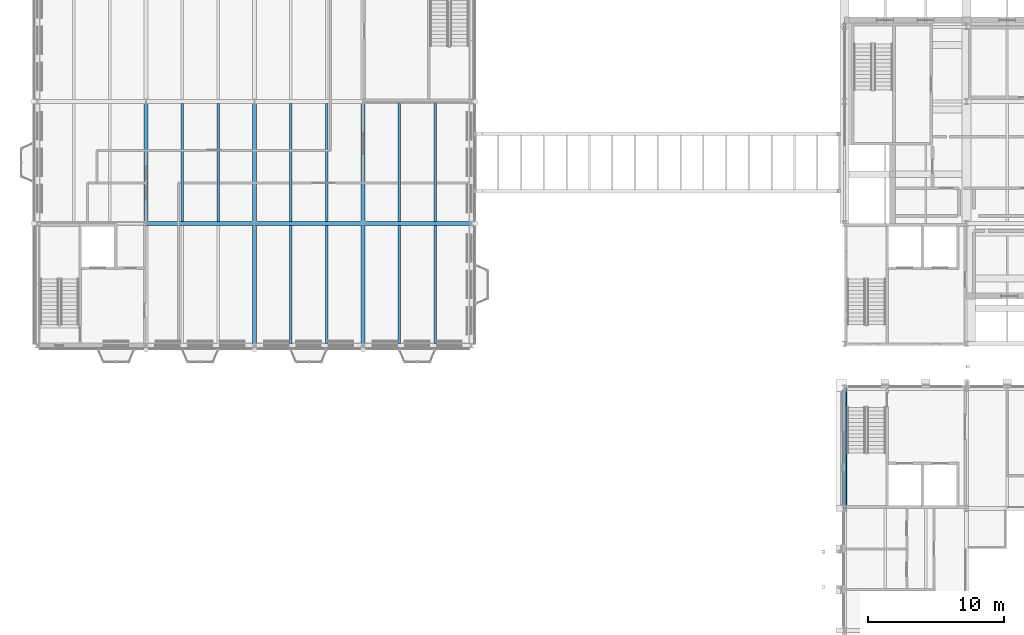
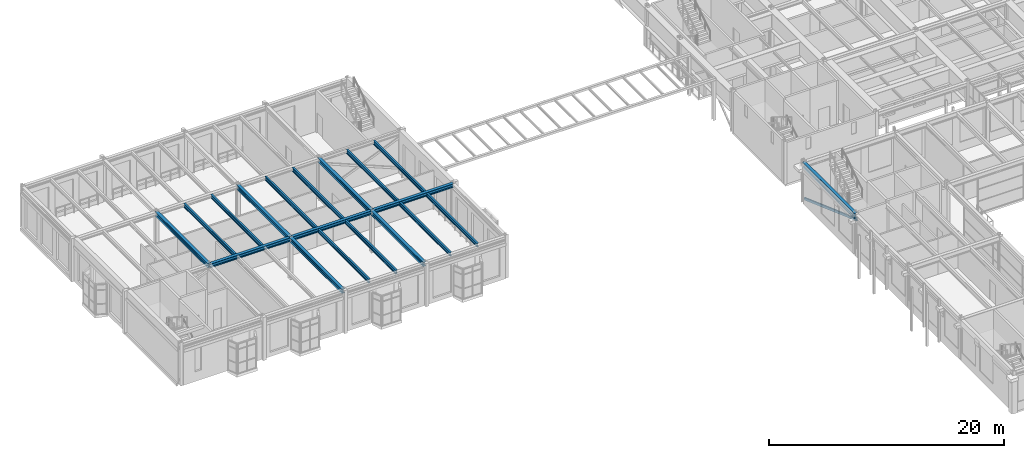
# One storey, part 50 of 153: 19 beams, 1 member.
"""IFC4 building model written with IfcOpenShell, lengths in metres."""

from ifc_helpers import new_model, si_unit, direction, frame, origin, origin_2d, place, context, subcontext, project, spatial, hollow_rectangle, i_section, extrude, material, material_profile, profile_set, type_object, element, save


model = new_model("IFC4")

# Units and contexts
model_context = context("Model", 3, precision=1e-05, world=origin(), true_north=direction((0.0, 1.0)))
body_context = subcontext(model_context, "Body", "Model", "MODEL_VIEW")
ifc_project = project(units=[si_unit("LENGTHUNIT", "METRE"), si_unit("AREAUNIT", "SQUARE_METRE"), si_unit("VOLUMEUNIT", "CUBIC_METRE"), si_unit("PLANEANGLEUNIT", "RADIAN"), si_unit("MASSUNIT", "GRAM", prefix="KILO")], contexts=[model_context])

# Site, building, storey
site_placement = place(None, origin())
site = spatial("IfcSite", under=ifc_project, at=site_placement, CompositionType="ELEMENT")
building_placement = place(site_placement, origin())
building = spatial("IfcBuilding", under=site, at=building_placement, Name="Kallimachos Central Library", CompositionType="ELEMENT")
storey_placement = place(building_placement, frame((0.0, 0.0, 5.39990234375)))
storey = spatial("IfcBuildingStorey", under=building, at=storey_placement, Name="L01", CompositionType="ELEMENT", Elevation=5.39990234375)

# Beams
ifc_material_1 = material(Name="Steel S355J2", Category="steel")
ifc_material_profile_1 = material_profile(ifc_material_1, i_section(OverallWidth=0.300048828125, OverallDepth=0.389892578125, WebThickness=0.010986328125, FlangeThickness=0.01904296875, FilletRadius=0.027099609375, at=origin_2d()), Name="HEA 400")
ifc_profile_set_1 = profile_set([ifc_material_profile_1], Name="Steel S355J2")
beam_type_1 = type_object("IfcBeamType", Name="HEA 400 beam", PredefinedType="BEAM", material=ifc_profile_set_1)
for number, where, z_axis, x_axis, name in (
    (1, (14.0, 96.0, 4.155029296875), (1.0, 0.0, 0.0), (0.0, 1.0, 0.0), "V2-BEM-L01-021"),
    (2, (22.0, 96.0, 4.155029296875), (1.0, 0.0, 0.0), (0.0, 1.0, 0.0), "V2-BEM-L01-022"),
    (3, (30.0, 96.0, 4.155029296875), (1.0, 0.0, 0.0), (0.0, 1.0, 0.0), "V2-BEM-L01-023"),
):
    element("IfcBeam", number, at=place(storey_placement, frame(where, z_axis=z_axis, x_axis=x_axis)), inside=storey, type_object=beam_type_1, Name=name, PredefinedType="BEAM", context=body_context, shape_type="SweptSolid", body=[
        extrude(i_section(OverallWidth=0.300048828125, OverallDepth=0.389892578125, WebThickness=0.010986328125, FlangeThickness=0.01904296875, FilletRadius=0.027099609375, at=origin_2d()), origin(), (0.0, 0.0, 1.0), 8.0),
    ])
ifc_material_2 = material(Name="Steel S355J2", Category="steel")
ifc_material_profile_2 = material_profile(ifc_material_2, i_section(OverallWidth=0.300048828125, OverallDepth=0.43994140625, WebThickness=0.011474609375, FlangeThickness=0.02099609375, FilletRadius=0.027099609375, at=origin_2d()), Name="HEA 450")
ifc_profile_set_2 = profile_set([ifc_material_profile_2], Name="Steel S355J2")
beam_type_2 = type_object("IfcBeamType", Name="HEA 450 beam", PredefinedType="BEAM", material=ifc_profile_set_2)
for number, where, z_axis, x_axis, name in (
    (4, (14.0, 96.0, 4.130126953125), (0.0, 1.0, 0.0), (-1.0, 0.0, 0.0), "V2-BEM-L01-005"),
    (5, (22.0, 87.0, 4.130126953125), (0.0, 1.0, 0.0), (-1.0, 0.0, 0.0), "V2-BEM-L01-007"),
    (6, (22.0, 96.0, 4.130126953125), (0.0, 1.0, 0.0), (-1.0, 0.0, 0.0), "V2-BEM-L01-008"),
    (7, (30.0, 87.0, 4.130126953125), (0.0, 1.0, 0.0), (-1.0, 0.0, 0.0), "V2-BEM-L01-010"),
    (8, (30.0, 96.0, 4.130126953125), (0.0, 1.0, 0.0), (-1.0, 0.0, 0.0), "V2-BEM-L01-011"),
):
    element("IfcBeam", number, at=place(storey_placement, frame(where, z_axis=z_axis, x_axis=x_axis)), inside=storey, type_object=beam_type_2, Name=name, PredefinedType="BEAM", context=body_context, shape_type="SweptSolid", body=[
        extrude(i_section(OverallWidth=0.300048828125, OverallDepth=0.43994140625, WebThickness=0.011474609375, FlangeThickness=0.02099609375, FilletRadius=0.027099609375, at=origin_2d()), origin(), (0.0, 0.0, 1.0), 9.0),
    ])
ifc_material_3 = material(Name="Steel S355J2", Category="steel")
ifc_material_profile_3 = material_profile(ifc_material_3, i_section(OverallWidth=0.300048828125, OverallDepth=0.550048828125, WebThickness=0.014892578125, FlangeThickness=0.029052734375, FilletRadius=0.027099609375, at=origin_2d()), Name="HEB 550")
ifc_profile_set_3 = profile_set([ifc_material_profile_3], Name="Steel S355J2")
beam_type_3 = type_object("IfcBeamType", Name="HEB 550 beam", PredefinedType="BEAM", material=ifc_profile_set_3)
beam_placement = place(storey_placement, frame((65.5, 75.0, 4.025146484375), z_axis=(0.0, 1.0, 0.0), x_axis=(-1.0, 0.0, 0.0)))
element("IfcBeam", 9, at=beam_placement, inside=storey, type_object=beam_type_3, Name="V4-BEM-L01-009", PredefinedType="BEAM", context=body_context, shape_type="SweptSolid", body=[
    extrude(i_section(OverallWidth=0.300048828125, OverallDepth=0.550048828125, WebThickness=0.014892578125, FlangeThickness=0.029052734375, FilletRadius=0.027099609375, at=origin_2d()), origin(), (0.0, 0.0, 1.0), 8.85009765625),
])
ifc_material_4 = material(Name="Steel S355J2", Category="steel")
ifc_material_profile_4 = material_profile(ifc_material_4, i_section(OverallWidth=0.179931640625, OverallDepth=0.39990234375, WebThickness=0.008544921875, FlangeThickness=0.013427734375, FilletRadius=0.02099609375, at=origin_2d()), Name="IPE 400")
ifc_profile_set_4 = profile_set([ifc_material_profile_4], Name="Steel S355J2")
beam_type_4 = type_object("IfcBeamType", Name="IPE 400 beam", PredefinedType="BEAM", material=ifc_profile_set_4)
for number, where, z_axis, x_axis, name in (
    (10, (16.666748046875, 96.14990234375, 4.150146484375), (0.0, 1.0, 0.0), (-1.0, 0.0, 0.0), "V2-BEM-L01-038"),
    (11, (19.333251953125, 96.14990234375, 4.150146484375), (0.0, 1.0, 0.0), (-1.0, 0.0, 0.0), "V2-BEM-L01-039"),
    (12, (24.666748046875, 87.14990234375, 4.150146484375), (0.0, 1.0, 0.0), (-1.0, 0.0, 0.0), "V2-BEM-L01-042"),
    (13, (27.333251953125, 87.14990234375, 4.150146484375), (0.0, 1.0, 0.0), (-1.0, 0.0, 0.0), "V2-BEM-L01-043"),
    (14, (24.666748046875, 96.14990234375, 4.150146484375), (0.0, 1.0, 0.0), (-1.0, 0.0, 0.0), "V2-BEM-L01-044"),
    (15, (27.333251953125, 96.14990234375, 4.150146484375), (0.0, 1.0, 0.0), (-1.0, 0.0, 0.0), "V2-BEM-L01-045"),
    (16, (32.666748046875, 87.14990234375, 4.150146484375), (0.0, 1.0, 0.0), (-1.0, 0.0, 0.0), "V2-BEM-L01-048"),
    (17, (35.333251953125, 87.14990234375, 4.150146484375), (0.0, 1.0, 0.0), (-1.0, 0.0, 0.0), "V2-BEM-L01-049"),
    (18, (32.666748046875, 96.14990234375, 4.150146484375), (0.0, 1.0, 0.0), (-1.0, 0.0, 0.0), "V2-BEM-L01-050"),
    (19, (35.333251953125, 96.14990234375, 4.150146484375), (0.0, 1.0, 0.0), (-1.0, 0.0, 0.0), "V2-BEM-L01-051"),
):
    element("IfcBeam", number, at=place(storey_placement, frame(where, z_axis=z_axis, x_axis=x_axis)), inside=storey, type_object=beam_type_4, Name=name, PredefinedType="BEAM", context=body_context, shape_type="SweptSolid", body=[
        extrude(i_section(OverallWidth=0.179931640625, OverallDepth=0.39990234375, WebThickness=0.008544921875, FlangeThickness=0.013427734375, FilletRadius=0.02099609375, at=origin_2d()), origin(), (0.0, 0.0, 1.0), 8.7001953125),
    ])

# Member
ifc_material_5 = material(Name="Steel S355J2H", Category="steel")
ifc_material_profile_5 = material_profile(ifc_material_5, hollow_rectangle(XDim=0.14990234375, YDim=0.25, WallThickness=0.010009765625, InnerFilletRadius=0.010009765625, OuterFilletRadius=0.014892578125, at=origin_2d()), Name="RHS 250x150x10")
ifc_profile_set_5 = profile_set([ifc_material_profile_5], Name="Steel S355J2H")
member_type = type_object("IfcMemberType", Name="RHS 250x150x10 brace", PredefinedType="BRACE", material=ifc_profile_set_5)
member_placement = place(storey_placement, frame((65.60009765625, 83.85009765625, 0.400146484375), z_axis=(0.0, -0.94041523715, 0.340028207264), x_axis=(1.0, 0.0, 0.0)))
element("IfcMember", 20, at=member_placement, inside=storey, type_object=member_type, Name="V4-MEM-L01-001", PredefinedType="BRACE", context=body_context, shape_type="SweptSolid", body=[
    extrude(hollow_rectangle(XDim=0.14990234375, YDim=0.25, WallThickness=0.010009765625, InnerFilletRadius=0.010009765625, OuterFilletRadius=0.014892578125, at=origin_2d()), origin(), (0.0, 0.0, 1.0), 9.410888671875),
])

save(model, "model.ifc")
